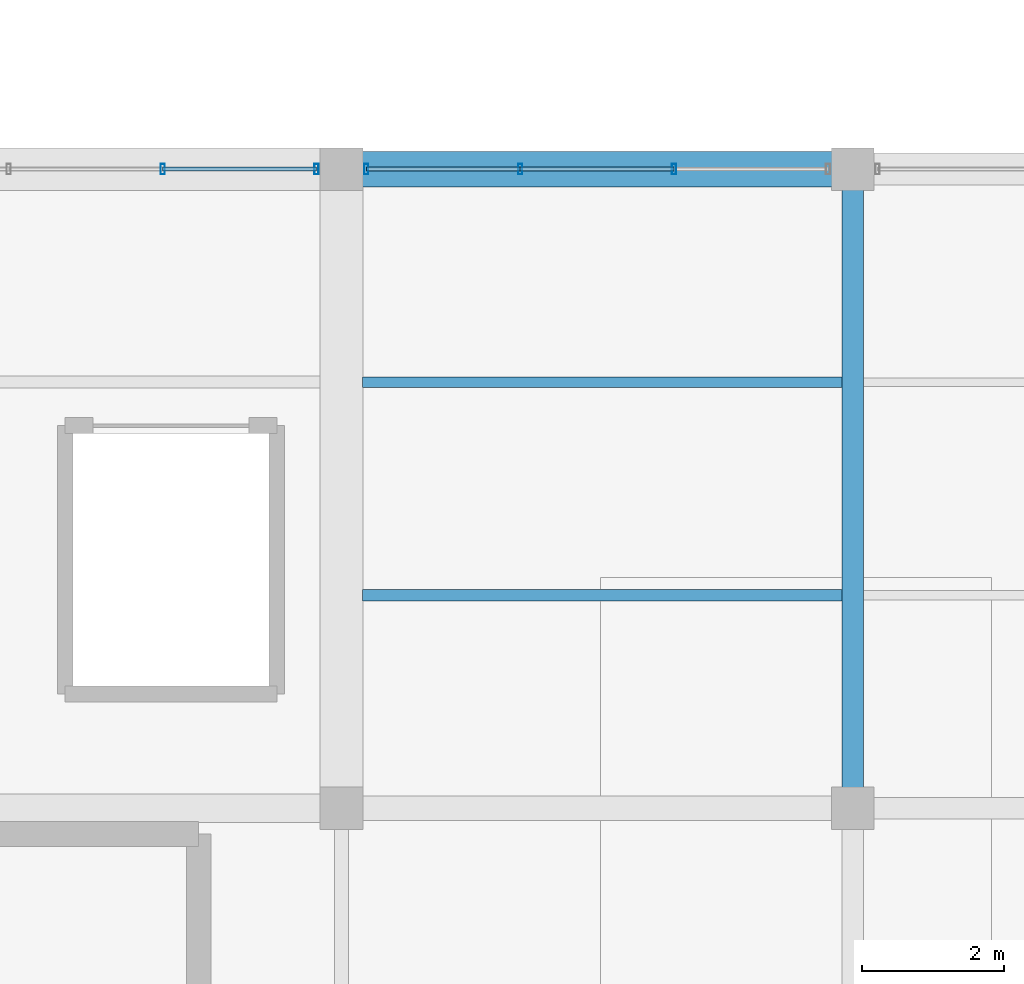
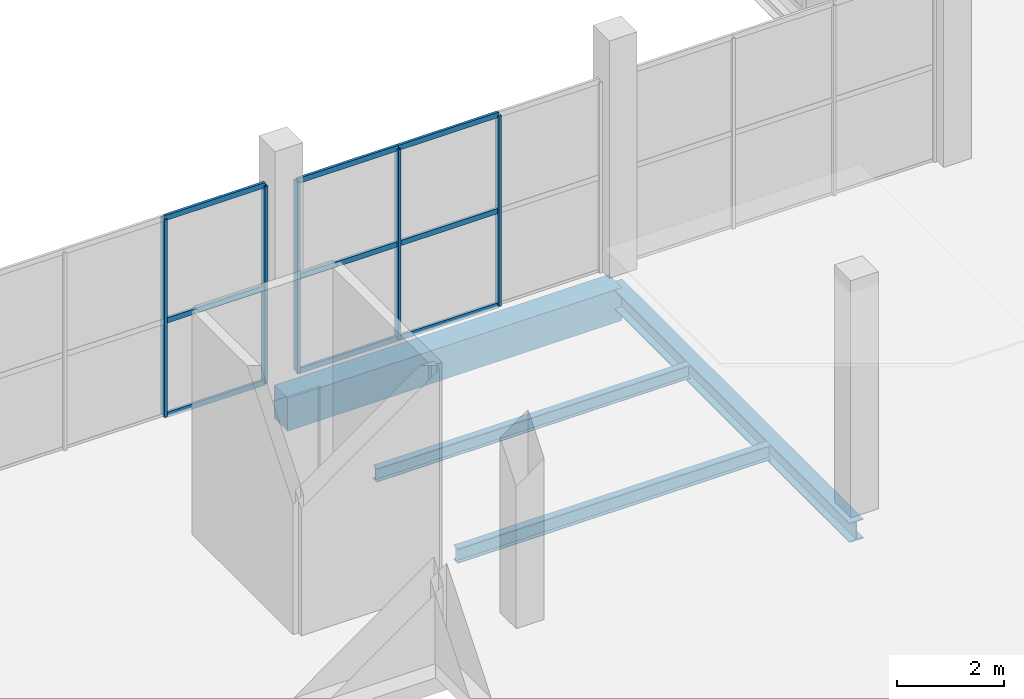
# One storey, part 89 of 141: 14 members, 4 beams, 2 elements without a shape of their own.
"""IFC4 building model written with IfcOpenShell, lengths in metres."""

from ifc_helpers import new_model, si_unit, direction, frame, origin, origin_2d, place, context, subcontext, project, spatial, rectangle, hollow_rectangle, i_section, extrude, material, layer, layer_set, material_profile, profile_set, type_object, element, aggregate, save


model = new_model("IFC4")

# Units and contexts
model_context = context("Model", 3, precision=1e-05, world=origin(), true_north=direction((0.0, 1.0)))
body_context = subcontext(model_context, "Body", "Model", "MODEL_VIEW")
ifc_project = project(units=[si_unit("LENGTHUNIT", "METRE"), si_unit("AREAUNIT", "SQUARE_METRE"), si_unit("VOLUMEUNIT", "CUBIC_METRE"), si_unit("PLANEANGLEUNIT", "RADIAN"), si_unit("MASSUNIT", "GRAM", prefix="KILO")], contexts=[model_context])

# Site, building, storey
site_placement = place(None, origin())
site = spatial("IfcSite", under=ifc_project, at=site_placement, CompositionType="ELEMENT")
building_placement = place(site_placement, origin())
building = spatial("IfcBuilding", under=site, at=building_placement, Name="Sundgate Opera House", CompositionType="ELEMENT")
storey_placement = place(building_placement, frame((0.0, 0.0, 11.39990234375)))
storey = spatial("IfcBuildingStorey", under=building, at=storey_placement, Name="L02", CompositionType="ELEMENT", Elevation=11.39990234375)

# Beams
ifc_material_1 = material(Name="Steel S355J2", Category="steel")
ifc_material_profile_1 = material_profile(ifc_material_1, i_section(OverallWidth=0.300048828125, OverallDepth=0.449951171875, WebThickness=0.013916015625, FlangeThickness=0.02587890625, at=origin_2d()), Name="HEB 450")
ifc_profile_set_1 = profile_set([ifc_material_profile_1], Name="Steel S355J2")
beam_type_1 = type_object("IfcBeamType", Name="BM-GR-HEB450", PredefinedType="BEAM", material=ifc_profile_set_1)
beam_1_placement = place(storey_placement, frame((145.800048828125, 78.0, -0.574951171875), z_axis=(0.0, 1.0, 0.0), x_axis=(-1.0, 0.0, 0.0)))
element("IfcBeam", 1, at=beam_1_placement, inside=storey, type_object=beam_type_1, Name="L02 Primary N-S Girder B1928", PredefinedType="BEAM", context=body_context, shape_type="SweptSolid", body=[
    extrude(i_section(OverallWidth=0.300048828125, OverallDepth=0.449951171875, WebThickness=0.013916015625, FlangeThickness=0.02587890625, at=origin_2d()), origin(), (0.0, 0.0, 1.0), 9.0),
])
ifc_material_2 = material(Name="Steel S355J2", Category="steel")
ifc_material_profile_2 = material_profile(ifc_material_2, i_section(OverallWidth=0.14990234375, OverallDepth=0.300048828125, WebThickness=0.007080078125, FlangeThickness=0.0107421875, at=origin_2d()), Name="IPE 300")
ifc_profile_set_2 = profile_set([ifc_material_profile_2], Name="Steel S355J2")
beam_type_2 = type_object("IfcBeamType", Name="BM-JS-IPE300", PredefinedType="JOIST", material=ifc_profile_set_2)
beam_2_placement = place(storey_placement, frame((138.89990234375, 84.0, -0.5), z_axis=(1.0, 0.0, 0.0), x_axis=(0.0, 1.0, 0.0)))
element("IfcBeam", 2, at=beam_2_placement, inside=storey, type_object=beam_type_2, Name="L02 Secondary Floor Joist B2329", PredefinedType="JOIST", context=body_context, shape_type="SweptSolid", body=[
    extrude(i_section(OverallWidth=0.14990234375, OverallDepth=0.300048828125, WebThickness=0.007080078125, FlangeThickness=0.0107421875, at=origin_2d()), origin(), (0.0, 0.0, 1.0), 6.75),
])
ifc_material_3 = material(Name="Steel S355J2", Category="steel")
ifc_material_profile_3 = material_profile(ifc_material_3, i_section(OverallWidth=0.159912109375, OverallDepth=0.330078125, WebThickness=0.007568359375, FlangeThickness=0.011474609375, at=origin_2d()), Name="IPE 330")
ifc_profile_set_3 = profile_set([ifc_material_profile_3], Name="Steel S355J2")
beam_type_3 = type_object("IfcBeamType", Name="BM-JS-IPE330", PredefinedType="JOIST", material=ifc_profile_set_3)
beam_3_placement = place(storey_placement, frame((138.89990234375, 81.0, -0.514892578125), z_axis=(1.0, 0.0, 0.0), x_axis=(0.0, 1.0, 0.0)))
element("IfcBeam", 3, at=beam_3_placement, inside=storey, type_object=beam_type_3, Name="L02 Secondary Floor Joist B2328", PredefinedType="JOIST", context=body_context, shape_type="SweptSolid", body=[
    extrude(i_section(OverallWidth=0.159912109375, OverallDepth=0.330078125, WebThickness=0.007568359375, FlangeThickness=0.011474609375, at=origin_2d()), origin(), (0.0, 0.0, 1.0), 6.75),
])
ifc_material_4 = material(Name="Concrete C40/50", Category="concrete")
ifc_material_profile_4 = material_profile(ifc_material_4, rectangle(XDim=0.5, YDim=0.75, at=origin_2d()), Name="RC 500x750")
ifc_profile_set_4 = profile_set([ifc_material_profile_4], Name="Concrete C40/50")
beam_type_4 = type_object("IfcBeamType", Name="BM-RC-500x750", PredefinedType="BEAM", material=ifc_profile_set_4)
beam_4_placement = place(storey_placement, frame((138.60009765625, 87.0, -0.724853515625), z_axis=(1.0, 0.0, 0.0), x_axis=(0.0, 1.0, 0.0)))
element("IfcBeam", 4, at=beam_4_placement, inside=storey, type_object=beam_type_4, Name="L02 Primary E-W Girder B2065", PredefinedType="BEAM", context=body_context, shape_type="SweptSolid", body=[
    extrude(rectangle(XDim=0.5, YDim=0.75, at=origin_2d()), origin(), (0.0, 0.0, 1.0), 7.199951171875),
])

# Curtain wall, members
ifc_material_5 = material(Name="Anodized aluminium and low-iron glass", Category="aluminium")
ifc_layer = layer(ifc_material_5, 0.159912109375)
ifc_layer_set = layer_set([ifc_layer], Name="Anodized aluminium and low-iron glass")
curtain_wall_type = type_object("IfcCurtainWallType", Name="CW-STUDIO-DARK", PredefinedType="NOTDEFINED", material=ifc_layer_set)
curtain_wall_1_placement = place(storey_placement, origin())
curtain_wall_1 = element("IfcCurtainWall", 5, at=curtain_wall_1_placement, inside=storey, type_object=curtain_wall_type, Name="L02 Curtain Wall CW110", PredefinedType="NOTDEFINED")
ifc_material_6 = material(Name="Anodized aluminium EN AW-6063", Category="aluminium")
ifc_material_profile_5 = material_profile(ifc_material_6, hollow_rectangle(XDim=0.06005859375, YDim=0.14990234375, WallThickness=0.00390625, at=origin_2d()), Name="CWM 150x60x4")
ifc_profile_set_5 = profile_set([ifc_material_profile_5], Name="Anodized aluminium EN AW-6063")
member_type_1 = type_object("IfcMemberType", Name="CWM-ALU-150x60", PredefinedType="MULLION", material=ifc_profile_set_5)
member_1_placement = place(storey_placement, frame((136.083251953125, 87.0, 0.0), z_axis=(0.0, 0.0, 1.0), x_axis=(1.0, 0.0, 0.0)))
member_1 = element("IfcMember", 6, at=member_1_placement, type_object=member_type_1, Name="CW110 Mullion 3", PredefinedType="MULLION", context=body_context, shape_type="SweptSolid", body=[
    extrude(hollow_rectangle(XDim=0.06005859375, YDim=0.14990234375, WallThickness=0.00390625, at=origin_2d()), origin(), (0.0, 0.0, 1.0), 4.4951171875),
])
member_2_placement = place(storey_placement, frame((138.25, 87.0, 0.0), z_axis=(0.0, 0.0, 1.0), x_axis=(1.0, 0.0, 0.0)))
member_2 = element("IfcMember", 7, at=member_2_placement, type_object=member_type_1, Name="CW110 Mullion 4", PredefinedType="MULLION", context=body_context, shape_type="SweptSolid", body=[
    extrude(hollow_rectangle(XDim=0.06005859375, YDim=0.14990234375, WallThickness=0.00390625, at=origin_2d()), origin(), (0.0, 0.0, 1.0), 4.4951171875),
])

curtain_wall_2_placement = place(storey_placement, origin())
curtain_wall_2 = element("IfcCurtainWall", 8, at=curtain_wall_2_placement, inside=storey, type_object=curtain_wall_type, Name="L02 Curtain Wall CW112", PredefinedType="NOTDEFINED")
member_3_placement = place(storey_placement, frame((138.949951171875, 87.0, 0.0), z_axis=(0.0, 0.0, 1.0), x_axis=(1.0, 0.0, 0.0)))
member_3 = element("IfcMember", 9, at=member_3_placement, type_object=member_type_1, Name="CW112 Mullion 1", PredefinedType="MULLION", context=body_context, shape_type="SweptSolid", body=[
    extrude(hollow_rectangle(XDim=0.06005859375, YDim=0.14990234375, WallThickness=0.00390625, at=origin_2d()), origin(), (0.0, 0.0, 1.0), 4.335205078125),
])
member_4_placement = place(storey_placement, frame((141.11669921875, 87.0, 0.0), z_axis=(0.0, 0.0, 1.0), x_axis=(1.0, 0.0, 0.0)))
member_4 = element("IfcMember", 10, at=member_4_placement, type_object=member_type_1, Name="CW112 Mullion 2", PredefinedType="MULLION", context=body_context, shape_type="SweptSolid", body=[
    extrude(hollow_rectangle(XDim=0.06005859375, YDim=0.14990234375, WallThickness=0.00390625, at=origin_2d()), origin(), (0.0, 0.0, 1.0), 4.335205078125),
])
member_5_placement = place(storey_placement, frame((143.283447265625, 87.0, 0.0), z_axis=(0.0, 0.0, 1.0), x_axis=(1.0, 0.0, 0.0)))
member_5 = element("IfcMember", 11, at=member_5_placement, type_object=member_type_1, Name="CW112 Mullion 3", PredefinedType="MULLION", context=body_context, shape_type="SweptSolid", body=[
    extrude(hollow_rectangle(XDim=0.06005859375, YDim=0.14990234375, WallThickness=0.00390625, at=origin_2d()), origin(), (0.0, 0.0, 1.0), 4.335205078125),
])

# Member
ifc_material_7 = material(Name="Anodized aluminium EN AW-6063", Category="aluminium")
ifc_material_profile_6 = material_profile(ifc_material_7, hollow_rectangle(XDim=0.054931640625, YDim=0.1201171875, WallThickness=0.00390625, at=origin_2d()), Name="CWT 120x55x4")
ifc_profile_set_6 = profile_set([ifc_material_profile_6], Name="Anodized aluminium EN AW-6063")
member_type_2 = type_object("IfcMemberType", Name="CWT-ALU-120x55", PredefinedType="USERDEFINED", material=ifc_profile_set_6)
member_6_placement = place(storey_placement, frame((136.083251953125, 87.0, 0.0), z_axis=(1.0, 0.0, 0.0), x_axis=(0.0, 1.0, 0.0)))
member_6 = element("IfcMember", 12, at=member_6_placement, type_object=member_type_2, Name="CW110 Transom 7", ObjectType="TRANSOM", PredefinedType="USERDEFINED", context=body_context, shape_type="SweptSolid", body=[
    extrude(hollow_rectangle(XDim=0.054931640625, YDim=0.1201171875, WallThickness=0.00390625, at=origin_2d()), origin(), (0.0, 0.0, 1.0), 2.166748046875),
])

member_7_placement = place(storey_placement, frame((136.083251953125, 87.0, 2.150146484375), z_axis=(1.0, 0.0, 0.0), x_axis=(0.0, 1.0, 0.0)))
member_7 = element("IfcMember", 13, at=member_7_placement, type_object=member_type_2, Name="CW110 Transom 8", ObjectType="TRANSOM", PredefinedType="USERDEFINED", context=body_context, shape_type="SweptSolid", body=[
    extrude(hollow_rectangle(XDim=0.054931640625, YDim=0.1201171875, WallThickness=0.00390625, at=origin_2d()), origin(), (0.0, 0.0, 1.0), 2.166748046875),
])

member_8_placement = place(storey_placement, frame((136.083251953125, 87.0, 4.4951171875), z_axis=(1.0, 0.0, 0.0), x_axis=(0.0, 1.0, 0.0)))
member_8 = element("IfcMember", 14, at=member_8_placement, type_object=member_type_2, Name="CW110 Transom 9", ObjectType="TRANSOM", PredefinedType="USERDEFINED", context=body_context, shape_type="SweptSolid", body=[
    extrude(hollow_rectangle(XDim=0.054931640625, YDim=0.1201171875, WallThickness=0.00390625, at=origin_2d()), origin(), (0.0, 0.0, 1.0), 2.166748046875),
])

aggregate(curtain_wall_1, [member_1, member_2, member_6, member_7, member_8])

member_9_placement = place(storey_placement, frame((138.949951171875, 87.0, 0.0), z_axis=(1.0, 0.0, 0.0), x_axis=(0.0, 1.0, 0.0)))
member_9 = element("IfcMember", 15, at=member_9_placement, type_object=member_type_2, Name="CW112 Transom 1", ObjectType="TRANSOM", PredefinedType="USERDEFINED", context=body_context, shape_type="SweptSolid", body=[
    extrude(hollow_rectangle(XDim=0.054931640625, YDim=0.1201171875, WallThickness=0.00390625, at=origin_2d()), origin(), (0.0, 0.0, 1.0), 2.166748046875),
])

member_10_placement = place(storey_placement, frame((138.949951171875, 87.0, 2.150146484375), z_axis=(1.0, 0.0, 0.0), x_axis=(0.0, 1.0, 0.0)))
member_10 = element("IfcMember", 16, at=member_10_placement, type_object=member_type_2, Name="CW112 Transom 2", ObjectType="TRANSOM", PredefinedType="USERDEFINED", context=body_context, shape_type="SweptSolid", body=[
    extrude(hollow_rectangle(XDim=0.054931640625, YDim=0.1201171875, WallThickness=0.00390625, at=origin_2d()), origin(), (0.0, 0.0, 1.0), 2.166748046875),
])

member_11_placement = place(storey_placement, frame((138.949951171875, 87.0, 4.335205078125), z_axis=(1.0, 0.0, 0.0), x_axis=(0.0, 1.0, 0.0)))
member_11 = element("IfcMember", 17, at=member_11_placement, type_object=member_type_2, Name="CW112 Transom 3", ObjectType="TRANSOM", PredefinedType="USERDEFINED", context=body_context, shape_type="SweptSolid", body=[
    extrude(hollow_rectangle(XDim=0.054931640625, YDim=0.1201171875, WallThickness=0.00390625, at=origin_2d()), origin(), (0.0, 0.0, 1.0), 2.166748046875),
])

member_12_placement = place(storey_placement, frame((141.11669921875, 87.0, 0.0), z_axis=(1.0, 0.0, 0.0), x_axis=(0.0, 1.0, 0.0)))
member_12 = element("IfcMember", 18, at=member_12_placement, type_object=member_type_2, Name="CW112 Transom 4", ObjectType="TRANSOM", PredefinedType="USERDEFINED", context=body_context, shape_type="SweptSolid", body=[
    extrude(hollow_rectangle(XDim=0.054931640625, YDim=0.1201171875, WallThickness=0.00390625, at=origin_2d()), origin(), (0.0, 0.0, 1.0), 2.166748046875),
])

member_13_placement = place(storey_placement, frame((141.11669921875, 87.0, 2.150146484375), z_axis=(1.0, 0.0, 0.0), x_axis=(0.0, 1.0, 0.0)))
member_13 = element("IfcMember", 19, at=member_13_placement, type_object=member_type_2, Name="CW112 Transom 5", ObjectType="TRANSOM", PredefinedType="USERDEFINED", context=body_context, shape_type="SweptSolid", body=[
    extrude(hollow_rectangle(XDim=0.054931640625, YDim=0.1201171875, WallThickness=0.00390625, at=origin_2d()), origin(), (0.0, 0.0, 1.0), 2.166748046875),
])

member_14_placement = place(storey_placement, frame((141.11669921875, 87.0, 4.335205078125), z_axis=(1.0, 0.0, 0.0), x_axis=(0.0, 1.0, 0.0)))
member_14 = element("IfcMember", 20, at=member_14_placement, type_object=member_type_2, Name="CW112 Transom 6", ObjectType="TRANSOM", PredefinedType="USERDEFINED", context=body_context, shape_type="SweptSolid", body=[
    extrude(hollow_rectangle(XDim=0.054931640625, YDim=0.1201171875, WallThickness=0.00390625, at=origin_2d()), origin(), (0.0, 0.0, 1.0), 2.166748046875),
])

aggregate(curtain_wall_2, [member_3, member_4, member_5, member_9, member_10, member_11, member_12, member_13, member_14])

save(model, "model.ifc")
